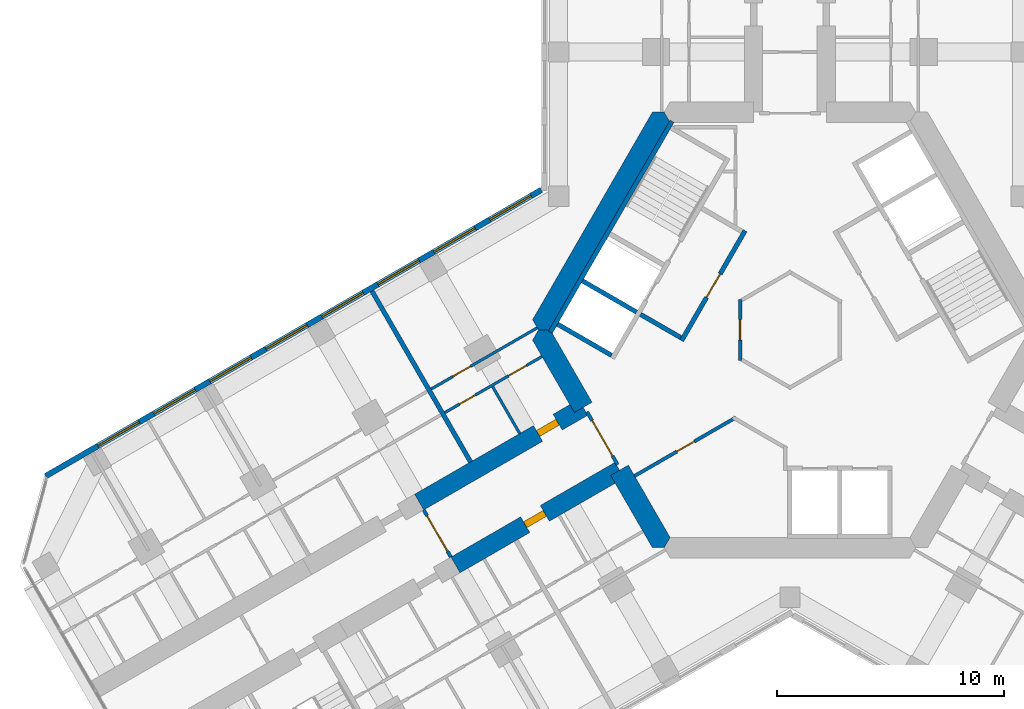
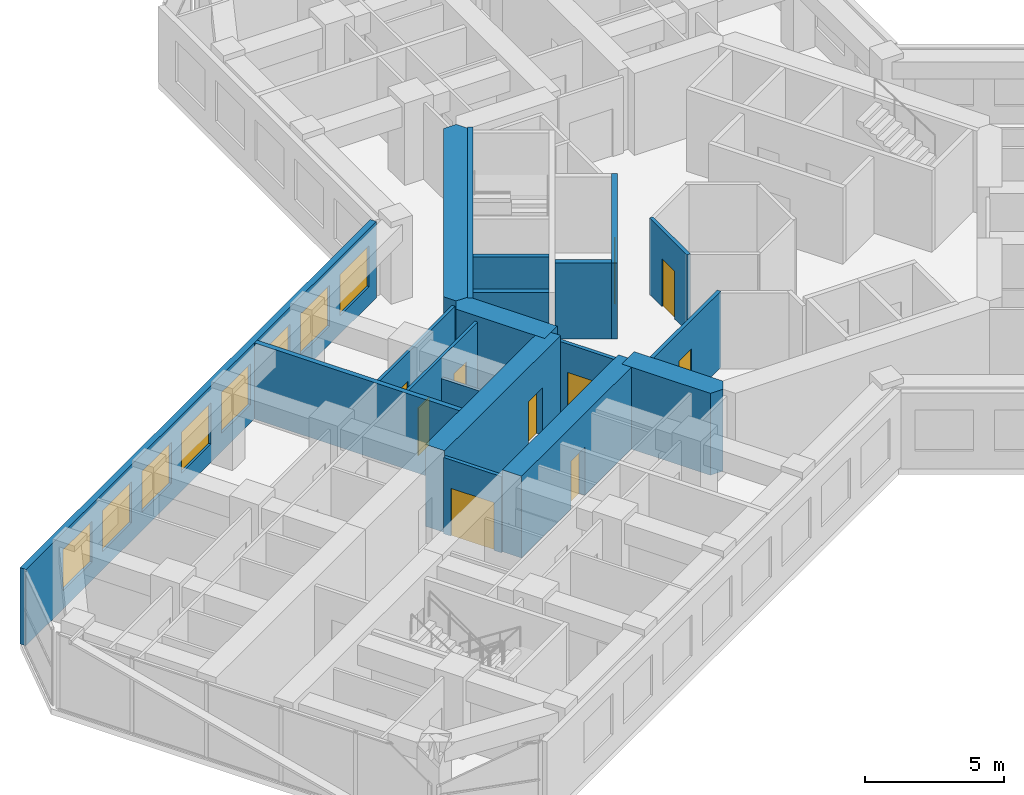
# One storey, part 12 of 19: 19 walls, 10 doors, 8 windows, 18 openings.
"""IFC4 building model written with IfcOpenShell, lengths in metres."""

from ifc_helpers import new_model, si_unit, direction, frame, frame_2d, origin, place, context, subcontext, project, spatial, polyline, rectangle, outline, extrude, material, layer, layer_set, type_object, element, fill, save


model = new_model("IFC4")

# Units and contexts
model_context = context("Model", 3, precision=1e-05, world=origin(), true_north=direction((0.0, 1.0)))
body_context = subcontext(model_context, "Body", "Model", "MODEL_VIEW")
ifc_project = project(units=[si_unit("LENGTHUNIT", "METRE"), si_unit("AREAUNIT", "SQUARE_METRE"), si_unit("VOLUMEUNIT", "CUBIC_METRE"), si_unit("PLANEANGLEUNIT", "RADIAN"), si_unit("MASSUNIT", "GRAM", prefix="KILO")], contexts=[model_context])

# Site, building, storey
site_placement = place(None, origin())
site = spatial("IfcSite", under=ifc_project, at=site_placement, CompositionType="ELEMENT")
building_placement = place(site_placement, origin())
building = spatial("IfcBuilding", under=site, at=building_placement, Name="Kosmar Iwan School Tower", CompositionType="ELEMENT")
storey_placement = place(building_placement, frame((0.0, 0.0, 172.39990234375)))
storey = spatial("IfcBuildingStorey", under=building, at=storey_placement, Name="L43", CompositionType="ELEMENT", Elevation=172.39990234375)

# Wall, opening, door
ifc_material_1 = material(Name="Gypsum board on steel studs, fire-rated", Category="steel")
ifc_layer_1 = layer(ifc_material_1, 0.14990234375)
ifc_layer_set_1 = layer_set([ifc_layer_1], Name="Core room partition 150")
wall_type_1 = type_object("IfcWallType", Name="Core room partition 150", PredefinedType="PARTITIONING", material=ifc_layer_set_1)
wall_1_placement = place(storey_placement, frame((-6.853515625, -6.439453125, 0.0), z_axis=(0.0, 0.0, 1.0), x_axis=(0.866030361502, 0.499991412883, 0.0)))
wall_1 = element("IfcWall", 1, at=wall_1_placement, inside=storey, type_object=wall_type_1, Name="Core room partition L43-CW5", PredefinedType="PARTITIONING", context=body_context, shape_type="SweptSolid", body=[
    extrude(rectangle(XDim=5.15966796875, YDim=0.14990234375, at=frame_2d((2.579833984375, 0.0))), origin(), (0.0, 0.0, 1.0), 3.35009765625),
])
opening_1_placement = place(wall_1_placement, frame((2.14990234375, 0.0, 0.0)))
opening_1 = element("IfcOpeningElement", 2, at=opening_1_placement, cuts=wall_1, Name="Opening D14", PredefinedType="OPENING", context=body_context, shape_type="SweptSolid", body=[
    extrude(rectangle(XDim=0.89990234375, YDim=2.10009765625, at=frame_2d((0.449951171875, 1.050048828125))), frame((0.0, 0.0869140625, 0.0), z_axis=(0.0, -1.0, 0.0), x_axis=(1.0, 0.0, 0.0)), (0.0, 0.0, 1.0), 0.173828125),
])
ifc_material_2 = material(Name="Timber fire door in steel frame", Category="steel")
door_type_1 = type_object("IfcDoorType", Name="Core room door 900x2100", OperationType="SINGLE_SWING_LEFT", PredefinedType="DOOR", material=ifc_material_2)
door_1_placement = place(opening_1_placement, origin())
door_1 = element("IfcDoor", 3, at=door_1_placement, inside=storey, type_object=door_type_1, Name="Residents' pantry door L43 3", OperationType="SINGLE_SWING_RIGHT", OverallHeight=2.10009765625, OverallWidth=0.89990234375, PredefinedType="DOOR", context=body_context, shape_type="SweptSolid", body=[
    extrude(rectangle(XDim=0.89990234375, YDim=2.10009765625, at=frame_2d((0.449951171875, 1.050048828125))), frame((0.0, 0.02490234375, 0.0), z_axis=(0.0, -1.0, 0.0), x_axis=(1.0, 0.0, 0.0)), (0.0, 0.0, 1.0), 0.050048828125),
])
fill(opening_1, door_1)

wall_2_placement = place(storey_placement, frame((-2.199951171875, -1.34521484375, 0.0), z_axis=(0.0, 0.0, 1.0), x_axis=(0.0, 1.0, 0.0)))
wall_2 = element("IfcWall", 4, at=wall_2_placement, inside=storey, type_object=wall_type_1, Name="Core room partition L43-CW10", PredefinedType="PARTITIONING", context=body_context, shape_type="SweptSolid", body=[
    extrude(rectangle(XDim=2.6904296875, YDim=0.14990234375, at=frame_2d((1.34521484375, 0.0))), origin(), (0.0, 0.0, 1.0), 3.35009765625),
])
opening_2_placement = place(wall_2_placement, frame((0.89501953125, 0.0, 0.0)))
opening_2 = element("IfcOpeningElement", 5, at=opening_2_placement, cuts=wall_2, Name="Opening D14", PredefinedType="OPENING", context=body_context, shape_type="SweptSolid", body=[
    extrude(rectangle(XDim=0.89990234375, YDim=2.10009765625, at=frame_2d((0.449951171875, 1.050048828125))), frame((0.0, 0.0869140625, 0.0), z_axis=(0.0, -1.0, 0.0), x_axis=(1.0, 0.0, 0.0)), (0.0, 0.0, 1.0), 0.173828125),
])
door_2_placement = place(opening_2_placement, origin())
door_2 = element("IfcDoor", 6, at=door_2_placement, inside=storey, type_object=door_type_1, Name="Vending room door L43 4", OperationType="SINGLE_SWING_LEFT", OverallHeight=2.10009765625, OverallWidth=0.89990234375, PredefinedType="DOOR", context=body_context, shape_type="SweptSolid", body=[
    extrude(rectangle(XDim=0.89990234375, YDim=2.10009765625, at=frame_2d((0.449951171875, 1.050048828125))), frame((0.0, 0.02490234375, 0.0), z_axis=(0.0, -1.0, 0.0), x_axis=(1.0, 0.0, 0.0)), (0.0, 0.0, 1.0), 0.050048828125),
])
fill(opening_2, door_2)

# Walls
ifc_material_3 = material(Name="Concrete C50/60", Category="concrete")
ifc_layer_2 = layer(ifc_material_3, 0.89990234375)
ifc_layer_set_2 = layer_set([ifc_layer_2], Name="Core wall 900")
wall_type_2 = type_object("IfcWallType", Name="Core wall 900", PredefinedType="SHEAR", material=ifc_layer_set_2)
wall_3_placement = place(storey_placement, origin())
element("IfcWall", 7, at=wall_3_placement, inside=storey, type_object=wall_type_2, Name="Core wall F150", PredefinedType="SHEAR", context=body_context, shape_type="SweptSolid", body=[
    extrude(outline(polyline([(-11.085205078125, 0.0), (-10.5654296875, 0.0), (-5.28271484375, 9.14990234375), (-5.54248046875, 9.60009765625), (-6.062255859375, 9.60009765625), (-11.344970703125, 0.449951171875), (-11.085205078125, 0.0)])), origin(), (0.0, 0.0, 1.0), 3.60009765625),
])
wall_4_placement = place(storey_placement, origin())
element("IfcWall", 8, at=wall_4_placement, inside=storey, type_object=wall_type_2, Name="Core wall F210a", PredefinedType="SHEAR", context=body_context, shape_type="SweptSolid", body=[
    extrude(outline(polyline([(-9.503662109375, -3.639404296875), (-8.72412109375, -3.189453125), (-10.5654296875, 0.0), (-11.085205078125, 0.0), (-11.344970703125, -0.449951171875), (-9.503662109375, -3.639404296875)])), origin(), (0.0, 0.0, 1.0), 3.60009765625),
])
wall_5_placement = place(storey_placement, origin())
element("IfcWall", 9, at=wall_5_placement, inside=storey, type_object=wall_type_2, Name="Core wall F210b", PredefinedType="SHEAR", context=body_context, shape_type="SweptSolid", body=[
    extrude(outline(polyline([(-6.062255859375, -9.60009765625), (-5.54248046875, -9.60009765625), (-5.28271484375, -9.14990234375), (-7.1240234375, -5.960693359375), (-7.903564453125, -6.41064453125), (-6.062255859375, -9.60009765625)])), origin(), (0.0, 0.0, 1.0), 3.60009765625),
])

# Wall, opening, door
ifc_material_4 = material(Name="Concrete C50/60", Category="concrete")
ifc_layer_3 = layer(ifc_material_4, 0.800048828125)
ifc_layer_set_3 = layer_set([ifc_layer_3], Name="Corridor buttress wall 800")
wall_type_3 = type_object("IfcWallType", Name="Corridor buttress wall 800", PredefinedType="SHEAR", material=ifc_layer_set_3)
wall_6_placement = place(storey_placement, frame((-7.513916015625, -6.185546875, 0.0), z_axis=(0.0, 0.0, 1.0), x_axis=(-0.866019549707, -0.500010139422, 0.0)))
wall_6 = element("IfcWall", 10, at=wall_6_placement, inside=storey, type_object=wall_type_3, Name="Corridor wall BL", PredefinedType="SHEAR", context=body_context, shape_type="SweptSolid", body=[
    extrude(rectangle(XDim=8.349853515625, YDim=0.800048828125, at=frame_2d((4.1748046875, 0.0))), origin(), (0.0, 0.0, 1.0), 3.60009765625),
])
opening_3_placement = place(wall_6_placement, frame((3.800048828125, 0.0, 0.0)))
opening_3 = element("IfcOpeningElement", 11, at=opening_3_placement, cuts=wall_6, Name="Opening D1", PredefinedType="OPENING", context=body_context, shape_type="SweptSolid", body=[
    extrude(rectangle(XDim=1.0, YDim=2.10009765625, at=frame_2d((0.5, 1.050048828125))), frame((0.0, 0.412109375, 0.0), z_axis=(0.0, -1.0, 0.0), x_axis=(1.0, 0.0, 0.0)), (0.0, 0.0, 1.0), 0.823974609375),
])
ifc_material_5 = material(Name="Timber fire door in steel frame", Category="steel")
door_type_2 = type_object("IfcDoorType", Name="Flat entrance door 1000x2100", OperationType="SINGLE_SWING_LEFT", PredefinedType="DOOR", material=ifc_material_5)
door_3_placement = place(opening_3_placement, origin())
door_3 = element("IfcDoor", 12, at=door_3_placement, inside=storey, type_object=door_type_2, Name="Flat L43-BL1 entrance door", OperationType="SINGLE_SWING_LEFT", OverallHeight=2.10009765625, OverallWidth=1.0, PredefinedType="DOOR", context=body_context, shape_type="SweptSolid", body=[
    extrude(rectangle(XDim=1.0, YDim=2.10009765625, at=frame_2d((0.5, 1.050048828125))), frame((0.0, 0.14990234375, 0.0), z_axis=(0.0, -1.0, 0.0), x_axis=(1.0, 0.0, 0.0)), (0.0, 0.0, 1.0), 0.300048828125),
])
fill(opening_3, door_3)

wall_7_placement = place(storey_placement, frame((-9.11376953125, -3.414306640625, 0.0), z_axis=(0.0, 0.0, 1.0), x_axis=(-0.866026859388, -0.499997478812, 0.0)))
wall_7 = element("IfcWall", 13, at=wall_7_placement, inside=storey, type_object=wall_type_3, Name="Corridor wall BR", PredefinedType="SHEAR", context=body_context, shape_type="SweptSolid", body=[
    extrude(rectangle(XDim=8.35009765625, YDim=0.800048828125, at=frame_2d((4.175048828125, 0.0))), origin(), (0.0, 0.0, 1.0), 3.60009765625),
])
opening_4_placement = place(wall_7_placement, frame((1.300048828125, 0.0, 0.0)))
opening_4 = element("IfcOpeningElement", 14, at=opening_4_placement, cuts=wall_7, Name="Opening D1", PredefinedType="OPENING", context=body_context, shape_type="SweptSolid", body=[
    extrude(rectangle(XDim=1.0, YDim=2.10009765625, at=frame_2d((0.5, 1.050048828125))), frame((0.0, 0.412109375, 0.0), z_axis=(0.0, -1.0, 0.0), x_axis=(1.0, 0.0, 0.0)), (0.0, 0.0, 1.0), 0.823974609375),
])
door_4_placement = place(opening_4_placement, origin())
door_4 = element("IfcDoor", 15, at=door_4_placement, inside=storey, type_object=door_type_2, Name="Flat L43-BR1 entrance door", OperationType="SINGLE_SWING_LEFT", OverallHeight=2.10009765625, OverallWidth=1.0, PredefinedType="DOOR", context=body_context, shape_type="SweptSolid", body=[
    extrude(rectangle(XDim=1.0, YDim=2.10009765625, at=frame_2d((0.5, 1.050048828125))), frame((0.0, 0.14990234375, 0.0), z_axis=(0.0, -1.0, 0.0), x_axis=(1.0, 0.0, 0.0)), (0.0, 0.0, 1.0), 0.300048828125),
])
fill(opening_4, door_4)

ifc_material_6 = material(Name="Gypsum board on steel studs, fire-rated", Category="steel")
ifc_layer_4 = layer(ifc_material_6, 0.14990234375)
ifc_layer_set_4 = layer_set([ifc_layer_4], Name="Corridor end wall 150")
wall_type_4 = type_object("IfcWallType", Name="Corridor end wall 150", PredefinedType="PARTITIONING", material=ifc_layer_set_4)
wall_8_placement = place(storey_placement, frame((-16.145263671875, -7.935791015625, 0.0), z_axis=(0.0, 0.0, 1.0), x_axis=(0.500077600433, -0.865980596518, 0.0)))
wall_8 = element("IfcWall", 16, at=wall_8_placement, inside=storey, type_object=wall_type_4, Name="Partition L43-B-HW", PredefinedType="PARTITIONING", context=body_context, shape_type="SweptSolid", body=[
    extrude(rectangle(XDim=2.39990234375, YDim=0.14990234375, at=frame_2d((1.199951171875, 0.0))), origin(), (0.0, 0.0, 1.0), 3.35009765625),
])
opening_5_placement = place(wall_8_placement, frame((0.300048828125, 0.0, 0.0)))
opening_5 = element("IfcOpeningElement", 17, at=opening_5_placement, cuts=wall_8, Name="Opening D9", PredefinedType="OPENING", context=body_context, shape_type="SweptSolid", body=[
    extrude(rectangle(XDim=1.800048828125, YDim=2.10009765625, at=frame_2d((0.89990234375, 1.050048828125))), frame((0.0, 0.0869140625, 0.0), z_axis=(0.0, -1.0, 0.0), x_axis=(1.0, 0.0, 0.0)), (0.0, 0.0, 1.0), 0.173828125),
])
ifc_material_7 = material(Name="Steel framed glazed smoke door", Category="steel")
door_type_3 = type_object("IfcDoorType", Name="Corridor smoke door pair 1800x2100", OperationType="DOUBLE_DOOR_DOUBLE_SWING", PredefinedType="DOOR", material=ifc_material_7)
door_5_placement = place(opening_5_placement, origin())
door_5 = element("IfcDoor", 18, at=door_5_placement, inside=storey, type_object=door_type_3, Name="Hashti vestibule smoke doors L43-B", OperationType="DOUBLE_DOOR_DOUBLE_SWING", OverallHeight=2.10009765625, OverallWidth=1.800048828125, PredefinedType="DOOR", context=body_context, shape_type="SweptSolid", body=[
    extrude(rectangle(XDim=1.800048828125, YDim=2.10009765625, at=frame_2d((0.89990234375, 1.050048828125))), frame((0.0, 0.02490234375, 0.0), z_axis=(0.0, -1.0, 0.0), x_axis=(1.0, 0.0, 0.0)), (0.0, 0.0, 1.0), 0.050048828125),
])
fill(opening_5, door_5)

ifc_material_8 = material(Name="Steel framed glazed screen", Category="steel")
ifc_layer_5 = layer(ifc_material_8, 0.14990234375)
ifc_layer_set_5 = layer_set([ifc_layer_5], Name="Corridor screen wall 150")
wall_type_5 = type_object("IfcWallType", Name="Corridor screen wall 150", PredefinedType="PARTITIONING", material=ifc_layer_set_5)
wall_9_placement = place(storey_placement, frame((-8.945556640625, -3.60595703125, 0.0), z_axis=(0.0, 0.0, 1.0), x_axis=(0.500048589285, -0.86599734893, 0.0)))
wall_9 = element("IfcWall", 19, at=wall_9_placement, inside=storey, type_object=wall_type_5, Name="Corridor screen B L43", PredefinedType="PARTITIONING", context=body_context, shape_type="SweptSolid", body=[
    extrude(rectangle(XDim=2.699951171875, YDim=0.14990234375, at=frame_2d((1.35009765625, 0.0))), origin(), (0.0, 0.0, 1.0), 3.35009765625),
])
opening_6_placement = place(wall_9_placement, frame((0.449951171875, 0.0, 0.0)))
opening_6 = element("IfcOpeningElement", 20, at=opening_6_placement, cuts=wall_9, Name="Opening D9", PredefinedType="OPENING", context=body_context, shape_type="SweptSolid", body=[
    extrude(rectangle(XDim=1.800048828125, YDim=2.10009765625, at=frame_2d((0.89990234375, 1.050048828125))), frame((0.0, 0.0869140625, 0.0), z_axis=(0.0, -1.0, 0.0), x_axis=(1.0, 0.0, 0.0)), (0.0, 0.0, 1.0), 0.173828125),
])
door_6_placement = place(opening_6_placement, origin())
door_6 = element("IfcDoor", 21, at=door_6_placement, inside=storey, type_object=door_type_3, Name="Corridor doors B L43", OperationType="DOUBLE_DOOR_DOUBLE_SWING", OverallHeight=2.10009765625, OverallWidth=1.800048828125, PredefinedType="DOOR", context=body_context, shape_type="SweptSolid", body=[
    extrude(rectangle(XDim=1.800048828125, YDim=2.10009765625, at=frame_2d((0.89990234375, 1.050048828125))), frame((0.0, 0.02490234375, 0.0), z_axis=(0.0, -1.0, 0.0), x_axis=(1.0, 0.0, 0.0)), (0.0, 0.0, 1.0), 0.050048828125),
])
fill(opening_6, door_6)

# Wall, openings, doors
ifc_material_9 = material(Name="Gypsum board on steel studs", Category="steel")
ifc_layer_6 = layer(ifc_material_9, 0.1201171875)
ifc_layer_set_6 = layer_set([ifc_layer_6], Name="Dwelling partition 120")
wall_type_6 = type_object("IfcWallType", Name="Dwelling partition 120", PredefinedType="PARTITIONING", material=ifc_layer_set_6)
wall_10_placement = place(storey_placement, frame((-10.928466796875, -1.171142578125, 0.0), z_axis=(0.0, 0.0, 1.0), x_axis=(-0.866018855338, -0.500011342071, 0.0)))
wall_10 = element("IfcWall", 22, at=wall_10_placement, inside=storey, type_object=wall_type_6, Name="Partition L43-BR1-W1", PredefinedType="PARTITIONING", context=body_context, shape_type="SweptSolid", body=[
    extrude(rectangle(XDim=4.9501953125, YDim=0.1201171875, at=frame_2d((2.47509765625, 0.0))), origin(), (0.0, 0.0, 1.0), 3.35009765625),
])
opening_7_placement = place(wall_10_placement, frame((0.800048828125, 0.0, 0.0)))
opening_7 = element("IfcOpeningElement", 23, at=opening_7_placement, cuts=wall_10, Name="Opening D2", PredefinedType="OPENING", context=body_context, shape_type="SweptSolid", body=[
    extrude(rectangle(XDim=0.89990234375, YDim=2.10009765625, at=frame_2d((0.449951171875, 1.050048828125))), frame((0.0, 0.072021484375, 0.0), z_axis=(0.0, -1.0, 0.0), x_axis=(1.0, 0.0, 0.0)), (0.0, 0.0, 1.0), 0.14404296875),
])
opening_8_placement = place(wall_10_placement, frame((3.39990234375, 0.0, 0.0)))
opening_8 = element("IfcOpeningElement", 24, at=opening_8_placement, cuts=wall_10, Name="Opening D3", PredefinedType="OPENING", context=body_context, shape_type="SweptSolid", body=[
    extrude(rectangle(XDim=0.800048828125, YDim=2.10009765625, at=frame_2d((0.39990234375, 1.050048828125))), frame((0.0, 0.072021484375, 0.0), z_axis=(0.0, -1.0, 0.0), x_axis=(1.0, 0.0, 0.0)), (0.0, 0.0, 1.0), 0.14404296875),
])
ifc_material_10 = material(Name="Timber door in timber frame", Category="wood")
door_type_4 = type_object("IfcDoorType", Name="Internal door 900x2100", OperationType="SINGLE_SWING_LEFT", PredefinedType="DOOR", material=ifc_material_10)
door_7_placement = place(opening_7_placement, origin())
door_7 = element("IfcDoor", 25, at=door_7_placement, inside=storey, type_object=door_type_4, Name="Entrance hall door L43-BR1-S1", OperationType="SINGLE_SWING_LEFT", OverallHeight=2.10009765625, OverallWidth=0.89990234375, PredefinedType="DOOR", context=body_context, shape_type="SweptSolid", body=[
    extrude(rectangle(XDim=0.89990234375, YDim=2.10009765625, at=frame_2d((0.449951171875, 1.050048828125))), frame((0.0, 0.02490234375, 0.0), z_axis=(0.0, -1.0, 0.0), x_axis=(1.0, 0.0, 0.0)), (0.0, 0.0, 1.0), 0.050048828125),
])
fill(opening_7, door_7)
ifc_material_11 = material(Name="Timber door in timber frame", Category="wood")
door_type_5 = type_object("IfcDoorType", Name="Sanitary room door 800x2100", OperationType="SINGLE_SWING_LEFT", PredefinedType="DOOR", material=ifc_material_11)
door_8_placement = place(opening_8_placement, origin())
door_8 = element("IfcDoor", 26, at=door_8_placement, inside=storey, type_object=door_type_5, Name="Bathroom door L43-BR1-S2", OperationType="SINGLE_SWING_RIGHT", OverallHeight=2.10009765625, OverallWidth=0.800048828125, PredefinedType="DOOR", context=body_context, shape_type="SweptSolid", body=[
    extrude(rectangle(XDim=0.800048828125, YDim=2.10009765625, at=frame_2d((0.39990234375, 1.050048828125))), frame((0.0, 0.02490234375, 0.0), z_axis=(0.0, -1.0, 0.0), x_axis=(1.0, 0.0, 0.0)), (0.0, 0.0, 1.0), 0.050048828125),
])
fill(opening_8, door_8)

# Wall, opening, door
wall_11_placement = place(storey_placement, frame((-11.138916015625, 0.093017578125, 0.0), z_axis=(0.0, 0.0, 1.0), x_axis=(-0.866028230842, -0.499995103361, 0.0)))
wall_11 = element("IfcWall", 27, at=wall_11_placement, inside=storey, type_object=wall_type_6, Name="Partition L43-BR1-W2", PredefinedType="PARTITIONING", context=body_context, shape_type="SweptSolid", body=[
    extrude(rectangle(XDim=5.39990234375, YDim=0.1201171875, at=frame_2d((2.699951171875, 0.0))), origin(), (0.0, 0.0, 1.0), 3.35009765625),
])
opening_9_placement = place(wall_11_placement, frame((3.39990234375, 0.0, 0.0)))
opening_9 = element("IfcOpeningElement", 28, at=opening_9_placement, cuts=wall_11, Name="Opening D2", PredefinedType="OPENING", context=body_context, shape_type="SweptSolid", body=[
    extrude(rectangle(XDim=0.89990234375, YDim=2.10009765625, at=frame_2d((0.449951171875, 1.050048828125))), frame((0.0, 0.072021484375, 0.0), z_axis=(0.0, -1.0, 0.0), x_axis=(1.0, 0.0, 0.0)), (0.0, 0.0, 1.0), 0.14404296875),
])
door_9_placement = place(opening_9_placement, origin())
door_9 = element("IfcDoor", 29, at=door_9_placement, inside=storey, type_object=door_type_4, Name="Studio living room and kitchen door L43-BR1-F1", OperationType="SINGLE_SWING_RIGHT", OverallHeight=2.10009765625, OverallWidth=0.89990234375, PredefinedType="DOOR", context=body_context, shape_type="SweptSolid", body=[
    extrude(rectangle(XDim=0.89990234375, YDim=2.10009765625, at=frame_2d((0.449951171875, 1.050048828125))), frame((0.0, 0.02490234375, 0.0), z_axis=(0.0, -1.0, 0.0), x_axis=(1.0, 0.0, 0.0)), (0.0, 0.0, 1.0), 0.050048828125),
])
fill(opening_9, door_9)

# Wall
wall_12_placement = place(storey_placement, frame((-11.911865234375, -4.56787109375, 0.0), z_axis=(0.0, 0.0, 1.0), x_axis=(-0.500017192868, 0.86601547725, 0.0)))
element("IfcWall", 30, at=wall_12_placement, inside=storey, type_object=wall_type_6, Name="Partition L43-BR1-Y1", PredefinedType="PARTITIONING", context=body_context, shape_type="SweptSolid", body=[
    extrude(rectangle(XDim=2.39013671875, YDim=0.1201171875, at=frame_2d((1.195068359375, 0.0))), origin(), (0.0, 0.0, 1.0), 2.4501953125),
])

# Wall, openings, windows
ifc_material_12 = material(Name="Black aluminium rainscreen on insulated framing", Category="aluminium")
ifc_layer_7 = layer(ifc_material_12, 0.25)
ifc_layer_set_7 = layer_set([ifc_layer_7], Name="External wall rainscreen 250")
wall_type_7 = type_object("IfcWallType", Name="External wall rainscreen 250", PredefinedType="SOLIDWALL", material=ifc_layer_set_7)
wall_13_placement = place(storey_placement, frame((-10.962890625, 6.170166015625, 0.0), z_axis=(0.0, 0.0, 1.0), x_axis=(-0.86602796634, -0.499995561497, 0.0)))
wall_13 = element("IfcWall", 31, at=wall_13_placement, inside=storey, type_object=wall_type_7, Name="External wall BR L43", PredefinedType="SOLIDWALL", context=body_context, shape_type="SweptSolid", body=[
    extrude(rectangle(XDim=25.226318359375, YDim=0.25, at=frame_2d((12.61328125, 0.0))), origin(), (0.0, 0.0, 1.0), 3.35009765625),
])
opening_10_placement = place(wall_13_placement, frame((0.51611328125, 0.0, 0.800048828125)))
opening_10 = element("IfcOpeningElement", 32, at=opening_10_placement, cuts=wall_13, Name="Opening W4", PredefinedType="OPENING", context=body_context, shape_type="SweptSolid", body=[
    extrude(rectangle(XDim=2.10009765625, YDim=1.800048828125, at=frame_2d((1.050048828125, 0.89990234375))), frame((0.0, 0.136962890625, 0.0), z_axis=(0.0, -1.0, 0.0), x_axis=(1.0, 0.0, 0.0)), (0.0, 0.0, 1.0), 0.27392578125),
])
opening_11_placement = place(wall_13_placement, frame((3.365966796875, 0.0, 0.800048828125)))
opening_11 = element("IfcOpeningElement", 33, at=opening_11_placement, cuts=wall_13, Name="Opening W4", PredefinedType="OPENING", context=body_context, shape_type="SweptSolid", body=[
    extrude(rectangle(XDim=2.10009765625, YDim=1.800048828125, at=frame_2d((1.050048828125, 0.89990234375))), frame((0.0, 0.136962890625, 0.0), z_axis=(0.0, -1.0, 0.0), x_axis=(1.0, 0.0, 0.0)), (0.0, 0.0, 1.0), 0.27392578125),
])
opening_12_placement = place(wall_13_placement, frame((6.216064453125, 0.0, 0.800048828125)))
opening_12 = element("IfcOpeningElement", 34, at=opening_12_placement, cuts=wall_13, Name="Opening W4", PredefinedType="OPENING", context=body_context, shape_type="SweptSolid", body=[
    extrude(rectangle(XDim=2.10009765625, YDim=1.800048828125, at=frame_2d((1.050048828125, 0.89990234375))), frame((0.0, 0.136962890625, 0.0), z_axis=(0.0, -1.0, 0.0), x_axis=(1.0, 0.0, 0.0)), (0.0, 0.0, 1.0), 0.27392578125),
])
opening_13_placement = place(wall_13_placement, frame((9.06591796875, 0.0, 0.800048828125)))
opening_13 = element("IfcOpeningElement", 35, at=opening_13_placement, cuts=wall_13, Name="Opening W4", PredefinedType="OPENING", context=body_context, shape_type="SweptSolid", body=[
    extrude(rectangle(XDim=2.10009765625, YDim=1.800048828125, at=frame_2d((1.050048828125, 0.89990234375))), frame((0.0, 0.136962890625, 0.0), z_axis=(0.0, -1.0, 0.0), x_axis=(1.0, 0.0, 0.0)), (0.0, 0.0, 1.0), 0.27392578125),
])
opening_14_placement = place(wall_13_placement, frame((11.916015625, 0.0, 0.800048828125)))
opening_14 = element("IfcOpeningElement", 36, at=opening_14_placement, cuts=wall_13, Name="Opening W4", PredefinedType="OPENING", context=body_context, shape_type="SweptSolid", body=[
    extrude(rectangle(XDim=2.10009765625, YDim=1.800048828125, at=frame_2d((1.050048828125, 0.89990234375))), frame((0.0, 0.136962890625, 0.0), z_axis=(0.0, -1.0, 0.0), x_axis=(1.0, 0.0, 0.0)), (0.0, 0.0, 1.0), 0.27392578125),
])
opening_15_placement = place(wall_13_placement, frame((14.76611328125, 0.0, 0.800048828125)))
opening_15 = element("IfcOpeningElement", 37, at=opening_15_placement, cuts=wall_13, Name="Opening W4", PredefinedType="OPENING", context=body_context, shape_type="SweptSolid", body=[
    extrude(rectangle(XDim=2.10009765625, YDim=1.800048828125, at=frame_2d((1.050048828125, 0.89990234375))), frame((0.0, 0.136962890625, 0.0), z_axis=(0.0, -1.0, 0.0), x_axis=(1.0, 0.0, 0.0)), (0.0, 0.0, 1.0), 0.27392578125),
])
opening_16_placement = place(wall_13_placement, frame((17.615966796875, 0.0, 0.800048828125)))
opening_16 = element("IfcOpeningElement", 38, at=opening_16_placement, cuts=wall_13, Name="Opening W4", PredefinedType="OPENING", context=body_context, shape_type="SweptSolid", body=[
    extrude(rectangle(XDim=2.10009765625, YDim=1.800048828125, at=frame_2d((1.050048828125, 0.89990234375))), frame((0.0, 0.136962890625, 0.0), z_axis=(0.0, -1.0, 0.0), x_axis=(1.0, 0.0, 0.0)), (0.0, 0.0, 1.0), 0.27392578125),
])
opening_17_placement = place(wall_13_placement, frame((20.466064453125, 0.0, 0.800048828125)))
opening_17 = element("IfcOpeningElement", 39, at=opening_17_placement, cuts=wall_13, Name="Opening W4", PredefinedType="OPENING", context=body_context, shape_type="SweptSolid", body=[
    extrude(rectangle(XDim=2.10009765625, YDim=1.800048828125, at=frame_2d((1.050048828125, 0.89990234375))), frame((0.0, 0.136962890625, 0.0), z_axis=(0.0, -1.0, 0.0), x_axis=(1.0, 0.0, 0.0)), (0.0, 0.0, 1.0), 0.27392578125),
])
ifc_material_13 = material(Name="Black aluminium frame with dark triple glazing", Category="aluminium")
window_type = type_object("IfcWindowType", Name="Window 2100x1800", PartitioningType="SINGLE_PANEL", PredefinedType="WINDOW", material=ifc_material_13)
window_1_placement = place(opening_10_placement, origin())
window_1 = element("IfcWindow", 40, at=window_1_placement, inside=storey, type_object=window_type, Name="Window BR L43 -1", OverallHeight=1.800048828125, OverallWidth=2.10009765625, PartitioningType="SINGLE_PANEL", PredefinedType="WINDOW", context=body_context, shape_type="SweptSolid", body=[
    extrude(rectangle(XDim=2.10009765625, YDim=1.800048828125, at=frame_2d((1.050048828125, 0.89990234375))), frame((0.0, 0.030029296875, 0.0), z_axis=(0.0, -1.0, 0.0), x_axis=(1.0, 0.0, 0.0)), (0.0, 0.0, 1.0), 0.06005859375),
])
fill(opening_10, window_1)
window_2_placement = place(opening_11_placement, origin())
window_2 = element("IfcWindow", 41, at=window_2_placement, inside=storey, type_object=window_type, Name="Window BR L43 0", OverallHeight=1.800048828125, OverallWidth=2.10009765625, PartitioningType="SINGLE_PANEL", PredefinedType="WINDOW", context=body_context, shape_type="SweptSolid", body=[
    extrude(rectangle(XDim=2.10009765625, YDim=1.800048828125, at=frame_2d((1.050048828125, 0.89990234375))), frame((0.0, 0.030029296875, 0.0), z_axis=(0.0, -1.0, 0.0), x_axis=(1.0, 0.0, 0.0)), (0.0, 0.0, 1.0), 0.06005859375),
])
fill(opening_11, window_2)
window_3_placement = place(opening_12_placement, origin())
window_3 = element("IfcWindow", 42, at=window_3_placement, inside=storey, type_object=window_type, Name="Window BR L43 1", OverallHeight=1.800048828125, OverallWidth=2.10009765625, PartitioningType="SINGLE_PANEL", PredefinedType="WINDOW", context=body_context, shape_type="SweptSolid", body=[
    extrude(rectangle(XDim=2.10009765625, YDim=1.800048828125, at=frame_2d((1.050048828125, 0.89990234375))), frame((0.0, 0.030029296875, 0.0), z_axis=(0.0, -1.0, 0.0), x_axis=(1.0, 0.0, 0.0)), (0.0, 0.0, 1.0), 0.06005859375),
])
fill(opening_12, window_3)
window_4_placement = place(opening_13_placement, origin())
window_4 = element("IfcWindow", 43, at=window_4_placement, inside=storey, type_object=window_type, Name="Window BR L43 2", OverallHeight=1.800048828125, OverallWidth=2.10009765625, PartitioningType="SINGLE_PANEL", PredefinedType="WINDOW", context=body_context, shape_type="SweptSolid", body=[
    extrude(rectangle(XDim=2.10009765625, YDim=1.800048828125, at=frame_2d((1.050048828125, 0.89990234375))), frame((0.0, 0.030029296875, 0.0), z_axis=(0.0, -1.0, 0.0), x_axis=(1.0, 0.0, 0.0)), (0.0, 0.0, 1.0), 0.06005859375),
])
fill(opening_13, window_4)
window_5_placement = place(opening_14_placement, origin())
window_5 = element("IfcWindow", 44, at=window_5_placement, inside=storey, type_object=window_type, Name="Window BR L43 3", OverallHeight=1.800048828125, OverallWidth=2.10009765625, PartitioningType="SINGLE_PANEL", PredefinedType="WINDOW", context=body_context, shape_type="SweptSolid", body=[
    extrude(rectangle(XDim=2.10009765625, YDim=1.800048828125, at=frame_2d((1.050048828125, 0.89990234375))), frame((0.0, 0.030029296875, 0.0), z_axis=(0.0, -1.0, 0.0), x_axis=(1.0, 0.0, 0.0)), (0.0, 0.0, 1.0), 0.06005859375),
])
fill(opening_14, window_5)
window_6_placement = place(opening_15_placement, origin())
window_6 = element("IfcWindow", 45, at=window_6_placement, inside=storey, type_object=window_type, Name="Window BR L43 4", OverallHeight=1.800048828125, OverallWidth=2.10009765625, PartitioningType="SINGLE_PANEL", PredefinedType="WINDOW", context=body_context, shape_type="SweptSolid", body=[
    extrude(rectangle(XDim=2.10009765625, YDim=1.800048828125, at=frame_2d((1.050048828125, 0.89990234375))), frame((0.0, 0.030029296875, 0.0), z_axis=(0.0, -1.0, 0.0), x_axis=(1.0, 0.0, 0.0)), (0.0, 0.0, 1.0), 0.06005859375),
])
fill(opening_15, window_6)
window_7_placement = place(opening_16_placement, origin())
window_7 = element("IfcWindow", 46, at=window_7_placement, inside=storey, type_object=window_type, Name="Window BR L43 5", OverallHeight=1.800048828125, OverallWidth=2.10009765625, PartitioningType="SINGLE_PANEL", PredefinedType="WINDOW", context=body_context, shape_type="SweptSolid", body=[
    extrude(rectangle(XDim=2.10009765625, YDim=1.800048828125, at=frame_2d((1.050048828125, 0.89990234375))), frame((0.0, 0.030029296875, 0.0), z_axis=(0.0, -1.0, 0.0), x_axis=(1.0, 0.0, 0.0)), (0.0, 0.0, 1.0), 0.06005859375),
])
fill(opening_16, window_7)
window_8_placement = place(opening_17_placement, origin())
window_8 = element("IfcWindow", 47, at=window_8_placement, inside=storey, type_object=window_type, Name="Window BR L43 6", OverallHeight=1.800048828125, OverallWidth=2.10009765625, PartitioningType="SINGLE_PANEL", PredefinedType="WINDOW", context=body_context, shape_type="SweptSolid", body=[
    extrude(rectangle(XDim=2.10009765625, YDim=1.800048828125, at=frame_2d((1.050048828125, 0.89990234375))), frame((0.0, 0.030029296875, 0.0), z_axis=(0.0, -1.0, 0.0), x_axis=(1.0, 0.0, 0.0)), (0.0, 0.0, 1.0), 0.06005859375),
])
fill(opening_17, window_8)

# Wall, opening, door
ifc_material_14 = material(Name="Concrete block masonry", Category="masonry")
ifc_layer_8 = layer(ifc_material_14, 0.199951171875)
ifc_layer_set_8 = layer_set([ifc_layer_8], Name="Fire lobby wall 200")
wall_type_8 = type_object("IfcWallType", Name="Fire lobby wall 200", PredefinedType="PARTITIONING", material=ifc_layer_set_8)
wall_14_placement = place(storey_placement, frame((-1.9775390625, 4.374755859375, 0.0), z_axis=(0.0, 0.0, 1.0), x_axis=(-0.500016814911, -0.866015695474, 0.0)))
wall_14 = element("IfcWall", 48, at=wall_14_placement, inside=storey, type_object=wall_type_8, Name="Firefighting lobby wall ST2", PredefinedType="PARTITIONING", context=body_context, shape_type="SweptSolid", body=[
    extrude(rectangle(XDim=5.599853515625, YDim=0.199951171875, at=frame_2d((2.7998046875, 0.0))), origin(), (0.0, 0.0, 1.0), 3.35009765625),
])
opening_18_placement = place(wall_14_placement, frame((2.199951171875, 0.0, 0.0)))
opening_18 = element("IfcOpeningElement", 49, at=opening_18_placement, cuts=wall_14, Name="Opening D7", PredefinedType="OPENING", context=body_context, shape_type="SweptSolid", body=[
    extrude(rectangle(XDim=1.199951171875, YDim=2.10009765625, at=frame_2d((0.60009765625, 1.050048828125))), frame((0.0, 0.112060546875, 0.0), z_axis=(0.0, -1.0, 0.0), x_axis=(1.0, 0.0, 0.0)), (0.0, 0.0, 1.0), 0.223876953125),
])
ifc_material_15 = material(Name="Steel fire door", Category="steel")
door_type_6 = type_object("IfcDoorType", Name="Fire lobby door 1200x2100", OperationType="SINGLE_SWING_LEFT", PredefinedType="DOOR", material=ifc_material_15)
door_10_placement = place(opening_18_placement, origin())
door_10 = element("IfcDoor", 50, at=door_10_placement, inside=storey, type_object=door_type_6, Name="Firefighting lobby door ST2 L43", OperationType="SINGLE_SWING_LEFT", OverallHeight=2.10009765625, OverallWidth=1.199951171875, PredefinedType="DOOR", context=body_context, shape_type="SweptSolid", body=[
    extrude(rectangle(XDim=1.199951171875, YDim=2.10009765625, at=frame_2d((0.60009765625, 1.050048828125))), frame((0.0, 0.02490234375, 0.0), z_axis=(0.0, -1.0, 0.0), x_axis=(1.0, 0.0, 0.0)), (0.0, 0.0, 1.0), 0.050048828125),
])
fill(opening_18, door_10)

# Walls
wall_15_placement = place(storey_placement, frame((-4.814208984375, -0.33837890625, 0.0), z_axis=(0.0, 0.0, 1.0), x_axis=(-0.865969381856, 0.500097020274, 0.0)))
element("IfcWall", 51, at=wall_15_placement, inside=storey, type_object=wall_type_8, Name="Firefighting lobby wall ST2", PredefinedType="PARTITIONING", context=body_context, shape_type="SweptSolid", body=[
    extrude(rectangle(XDim=2.0498046875, YDim=0.199951171875, at=frame_2d((1.02490234375, 0.0))), origin(), (0.0, 0.0, 1.0), 3.35009765625),
])
ifc_material_16 = material(Name="Concrete C50/60", Category="concrete")
ifc_layer_9 = layer(ifc_material_16, 0.199951171875)
ifc_layer_set_9 = layer_set([ifc_layer_9], Name="Lift shaft wall 200")
wall_type_9 = type_object("IfcWallType", Name="Lift shaft wall 200", PredefinedType="SHEAR", material=ifc_layer_set_9)
wall_16_placement = place(storey_placement, frame((-5.196044921875, 9.199951171875, 0.0), z_axis=(0.0, 0.0, 1.0), x_axis=(-0.499999935134, -0.866025441235, 0.0)))
element("IfcWall", 52, at=wall_16_placement, inside=storey, type_object=wall_type_9, Name="Lift and stair back wall AB", PredefinedType="SHEAR", context=body_context, shape_type="SweptSolid", body=[
    extrude(rectangle(XDim=10.73876953125, YDim=0.199951171875, at=frame_2d((5.369384765625, 0.0))), origin(), (0.0, 0.0, 1.0), 3.60009765625),
])
for number, where, z_axis, x_axis, name in (
    (53, (-6.7626953125, 0.78662109375, 0.0), (0.0, 0.0, 1.0), (-0.866027397988, 0.499996545922, 0.0), "Lift shaft wall AB 1"),
    (54, (-7.862548828125, -1.118408203125, 0.0), (0.0, 0.0, 1.0), (-0.866027397988, 0.499996545922, 0.0), "Lift shaft wall AB 2"),
):
    element("IfcWall", number, at=place(storey_placement, frame(where, z_axis=z_axis, x_axis=x_axis)), inside=storey, type_object=wall_type_9, Name=name, PredefinedType="SHEAR", context=body_context, shape_type="SweptSolid", body=[
        extrude(rectangle(XDim=2.75, YDim=0.199951171875, at=frame_2d((1.375, 0.0))), origin(), (0.0, 0.0, 1.0), 3.60009765625),
    ])
ifc_material_17 = material(Name="Concrete block masonry", Category="masonry")
ifc_layer_10 = layer(ifc_material_17, 0.199951171875)
ifc_layer_set_10 = layer_set([ifc_layer_10], Name="Party wall 200")
wall_type_10 = type_object("IfcWallType", Name="Party wall 200", PredefinedType="PARTITIONING", material=ifc_layer_set_10)
wall_17_placement = place(storey_placement, frame((-14.076904296875, -5.81787109375, 0.0), z_axis=(0.0, 0.0, 1.0), x_axis=(-0.500008278454, 0.866020624164, 0.0)))
element("IfcWall", 55, at=wall_17_placement, inside=storey, type_object=wall_type_10, Name="Partition L43-BR2-PW", PredefinedType="PARTITIONING", context=body_context, shape_type="SweptSolid", body=[
    extrude(rectangle(XDim=8.699951171875, YDim=0.199951171875, at=frame_2d((4.35009765625, 0.0))), origin(), (0.0, 0.0, 1.0), 3.35009765625),
])

save(model, "model.ifc")
